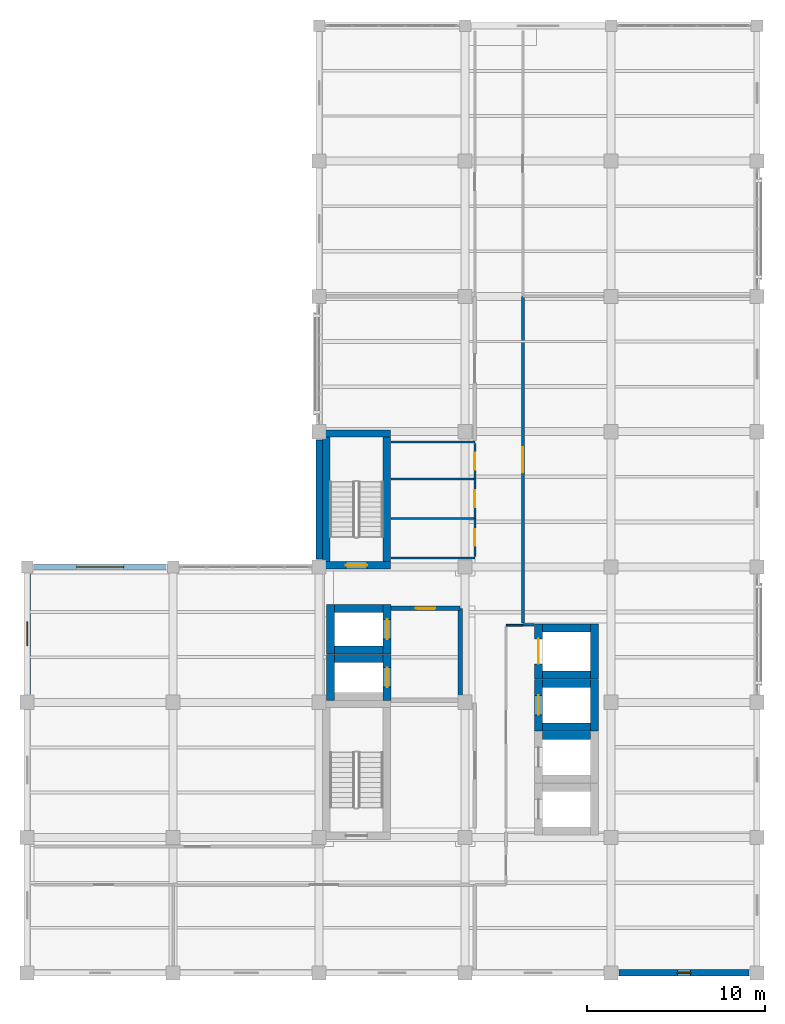
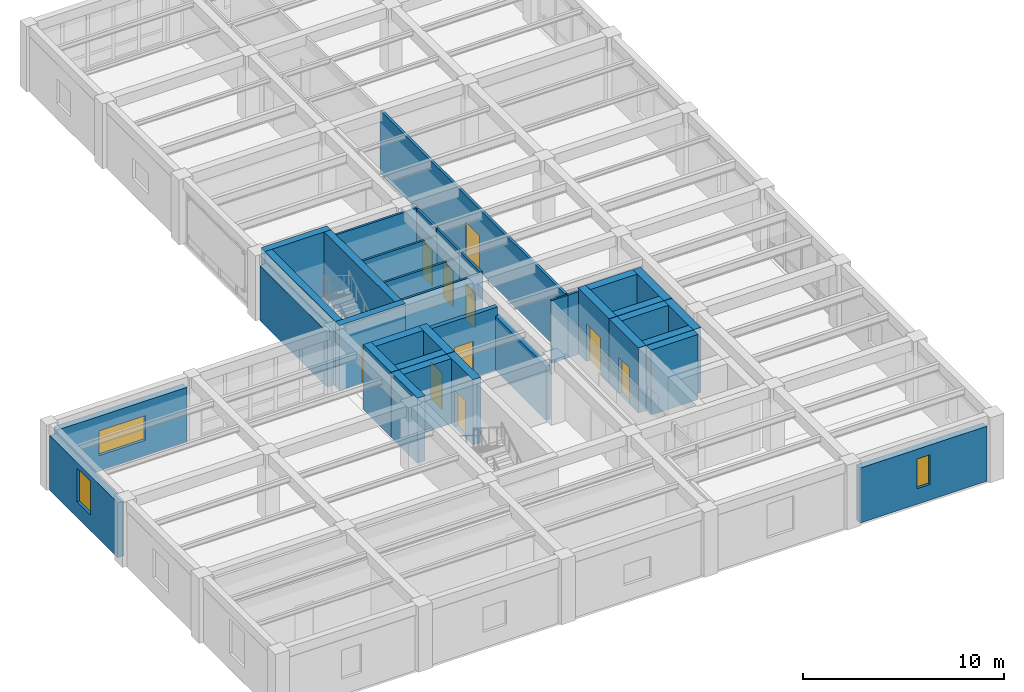
# One storey, part 8 of 13: 36 walls, 10 doors, 3 windows, 13 openings.
"""IFC4 building model written with IfcOpenShell, lengths in metres."""

from ifc_helpers import new_model, si_unit, direction, frame, frame_2d, origin, place, context, subcontext, project, spatial, rectangle, extrude, material, layer, layer_set, type_object, element, fill, save


model = new_model("IFC4")

# Units and contexts
model_context = context("Model", 3, precision=1e-05, world=origin(), true_north=direction((0.0, 1.0)))
body_context = subcontext(model_context, "Body", "Model", "MODEL_VIEW")
ifc_project = project(units=[si_unit("LENGTHUNIT", "METRE"), si_unit("AREAUNIT", "SQUARE_METRE"), si_unit("VOLUMEUNIT", "CUBIC_METRE"), si_unit("PLANEANGLEUNIT", "RADIAN"), si_unit("MASSUNIT", "GRAM", prefix="KILO")], contexts=[model_context])

# Site, building, storey
site_placement = place(None, origin())
site = spatial("IfcSite", under=ifc_project, at=site_placement, CompositionType="ELEMENT")
building_placement = place(site_placement, origin())
building = spatial("IfcBuilding", under=site, at=building_placement, Name="Qandaris Square Conservatory and Botanical Centre", CompositionType="ELEMENT")
storey_placement = place(building_placement, frame((0.0, 0.0, 45.0)))
storey = spatial("IfcBuildingStorey", under=building, at=storey_placement, Name="L10", CompositionType="ELEMENT", Elevation=45.0)

# Wall
ifc_material_1 = material(Name="Gypsum Plasterboard", Category="gypsum")
ifc_layer_1 = layer(ifc_material_1, 0.14990234375)
ifc_layer_set_1 = layer_set([ifc_layer_1], Name="Gypsum Plasterboard")
wall_type_1 = type_object("IfcWallType", Name="Acoustic Laboratory Partition 150mm", PredefinedType="PARTITIONING", material=ifc_layer_set_1)
wall_1_placement = place(storey_placement, frame((150.64990234375, 36.14990234375, 0.0), z_axis=(0.0, 0.0, 1.0), x_axis=(1.0, 0.0, 0.0)))
element("IfcWall", 1, at=wall_1_placement, inside=storey, type_object=wall_type_1, Name="Interior Partition IW-L10-0345", PredefinedType="PARTITIONING", context=body_context, shape_type="SweptSolid", body=[
    extrude(rectangle(XDim=0.6201171875, YDim=0.14990234375, at=frame_2d((0.31005859375, 0.0))), origin(), (0.0, 0.0, 1.0), 3.804931640625),
])

# Wall, opening, door
wall_2_placement = place(storey_placement, frame((150.64990234375, 54.60009765625, 0.0), z_axis=(0.0, 0.0, 1.0), x_axis=(0.0, -1.0, 0.0)))
wall_2 = element("IfcWall", 2, at=wall_2_placement, inside=storey, type_object=wall_type_1, Name="Interior Partition IW-L10-0356", PredefinedType="PARTITIONING", context=body_context, shape_type="SweptSolid", body=[
    extrude(rectangle(XDim=18.35009765625, YDim=0.14990234375, at=frame_2d((9.175048828125, 0.0))), origin(), (0.0, 0.0, 1.0), 3.804931640625),
])
opening_1_placement = place(wall_2_placement, frame((8.47509765625, 0.0, 0.0)))
opening_1 = element("IfcOpeningElement", 3, at=opening_1_placement, cuts=wall_2, Name="Opening D-LAB1", PredefinedType="OPENING", context=body_context, shape_type="SweptSolid", body=[
    extrude(rectangle(XDim=1.39990234375, YDim=2.199951171875, at=frame_2d((0.699951171875, 1.10009765625))), frame((0.0, 0.0869140625, 0.0), z_axis=(0.0, -1.0, 0.0), x_axis=(1.0, 0.0, 0.0)), (0.0, 0.0, 1.0), 0.173828125),
])
ifc_material_2 = material(Name="Engineered Oak Timber", Category="wood")
door_type_1 = type_object("IfcDoorType", Name="Research Laboratory Leaf-and-Half Door 1400x2200", OperationType="DOUBLE_DOOR_SINGLE_SWING", PredefinedType="DOOR", material=ifc_material_2)
door_1_placement = place(opening_1_placement, frame((1.39990234375, 0.0, 0.0), z_axis=(0.0, 0.0, 1.0), x_axis=(-1.0, 0.0, 0.0)))
door_1 = element("IfcDoor", 4, at=door_1_placement, inside=storey, type_object=door_type_1, Name="DR-0319 Medicinal Flora Analytical Laboratory Door", OperationType="DOUBLE_DOOR_SINGLE_SWING", OverallHeight=2.199951171875, OverallWidth=1.39990234375, PredefinedType="DOOR", context=body_context, shape_type="SweptSolid", body=[
    extrude(rectangle(XDim=1.39990234375, YDim=2.199951171875, at=frame_2d((0.699951171875, 1.10009765625))), frame((0.0, 0.02490234375, 0.0), z_axis=(0.0, -1.0, 0.0), x_axis=(1.0, 0.0, 0.0)), (0.0, 0.0, 1.0), 0.050048828125),
])
fill(opening_1, door_1)

# Wall, opening, window
ifc_material_3 = material(Name="Precast concrete C40/50", Category="concrete")
ifc_layer_2 = layer(ifc_material_3, 0.360107421875)
ifc_layer_set_2 = layer_set([ifc_layer_2], Name="Precast concrete C40/50")
wall_type_2 = type_object("IfcWallType", Name="Architectural Precast Cladding Wall 360mm", PredefinedType="SOLIDWALL", material=ifc_layer_set_2)
wall_3_placement = place(storey_placement, frame((156.06005859375, 16.60009765625, 0.0), z_axis=(0.0, 0.0, 1.0), x_axis=(1.0, 0.0, 0.0)))
wall_3 = element("IfcWall", 5, at=wall_3_placement, inside=storey, type_object=wall_type_2, Name="Exterior Wall EW-TWR-L10-1-5", PredefinedType="SOLIDWALL", context=body_context, shape_type="SweptSolid", body=[
    extrude(rectangle(XDim=7.280029296875, YDim=0.360107421875, at=frame_2d((3.64013671875, 0.0))), origin(), (0.0, 0.0, 1.0), 3.3349609375),
])
opening_2_placement = place(wall_3_placement, frame((3.264892578125, 0.0, 0.949951171875)))
opening_2 = element("IfcOpeningElement", 6, at=opening_2_placement, cuts=wall_3, Name="Opening WN-03", PredefinedType="OPENING", context=body_context, shape_type="SweptSolid", body=[
    extrude(rectangle(XDim=0.75, YDim=1.800048828125, at=frame_2d((0.375, 0.89990234375))), frame((0.0, 0.19189453125, 0.0), z_axis=(0.0, -1.0, 0.0), x_axis=(1.0, 0.0, 0.0)), (0.0, 0.0, 1.0), 0.384033203125),
])
ifc_material_4 = material(Name="Tempered Low-E Glass", Category="glass")
window_type_1 = type_object("IfcWindowType", Name="Herbarium UV-Filtered Slot Window 750x1800", PartitioningType="SINGLE_PANEL", PredefinedType="WINDOW", material=ifc_material_4)
window_1_placement = place(opening_2_placement, origin())
window_1 = element("IfcWindow", 7, at=window_1_placement, inside=storey, type_object=window_type_1, Name="Window EW-TWR-L10-1-5", OverallHeight=1.800048828125, OverallWidth=0.75, PartitioningType="SINGLE_PANEL", PredefinedType="WINDOW", context=body_context, shape_type="SweptSolid", body=[
    extrude(rectangle(XDim=0.75, YDim=1.800048828125, at=frame_2d((0.375, 0.89990234375))), frame((0.0, 0.030029296875, 0.0), z_axis=(0.0, -1.0, 0.0), x_axis=(1.0, 0.0, 0.0)), (0.0, 0.0, 1.0), 0.06005859375),
])
fill(opening_2, window_1)

# Wall
wall_4_placement = place(storey_placement, frame((139.199951171875, 46.5400390625, 0.0), z_axis=(0.0, 0.0, 1.0), x_axis=(0.0, -1.0, 0.0)))
element("IfcWall", 8, at=wall_4_placement, inside=storey, type_object=wall_type_2, Name="Exterior Wall EW-TWR-L10-4-4", PredefinedType="SOLIDWALL", context=body_context, shape_type="SweptSolid", body=[
    extrude(rectangle(XDim=6.679931640625, YDim=0.360107421875, at=frame_2d((3.33984375, 0.0))), origin(), (0.0, 0.0, 1.0), 3.3349609375),
])

# Wall, opening, window
wall_5_placement = place(storey_placement, frame((130.614990234375, 39.39990234375, 0.0), z_axis=(0.0, 0.0, 1.0), x_axis=(-1.0, 0.0, 0.0)))
wall_5 = element("IfcWall", 9, at=wall_5_placement, inside=storey, type_object=wall_type_2, Name="Exterior Wall EW-TWR-L10-5-2", PredefinedType="SOLIDWALL", context=body_context, shape_type="SweptSolid", body=[
    extrude(rectangle(XDim=7.429931640625, YDim=0.360107421875, at=frame_2d((3.71484375, 0.0))), origin(), (0.0, 0.0, 1.0), 3.3349609375),
])
opening_3_placement = place(wall_5_placement, frame((2.389892578125, 0.0, 0.949951171875)))
opening_3 = element("IfcOpeningElement", 10, at=opening_3_placement, cuts=wall_5, Name="Opening WN-42", PredefinedType="OPENING", context=body_context, shape_type="SweptSolid", body=[
    extrude(rectangle(XDim=2.64990234375, YDim=1.5, at=frame_2d((1.324951171875, 0.75))), frame((0.0, 0.19189453125, 0.0), z_axis=(0.0, -1.0, 0.0), x_axis=(1.0, 0.0, 0.0)), (0.0, 0.0, 1.0), 0.384033203125),
])
window_type_2 = type_object("IfcWindowType", Name="Solar Control Window 2650x1500", PartitioningType="DOUBLE_PANEL_VERTICAL", PredefinedType="WINDOW", material=ifc_material_4)
window_2_placement = place(opening_3_placement, origin())
window_2 = element("IfcWindow", 11, at=window_2_placement, inside=storey, type_object=window_type_2, Name="Window EW-TWR-L10-5-2", OverallHeight=1.5, OverallWidth=2.64990234375, PartitioningType="DOUBLE_PANEL_VERTICAL", PredefinedType="WINDOW", context=body_context, shape_type="SweptSolid", body=[
    extrude(rectangle(XDim=2.64990234375, YDim=1.5, at=frame_2d((1.324951171875, 0.75))), frame((0.0, 0.030029296875, 0.0), z_axis=(0.0, -1.0, 0.0), x_axis=(1.0, 0.0, 0.0)), (0.0, 0.0, 1.0), 0.06005859375),
])
fill(opening_3, window_2)

wall_6_placement = place(storey_placement, frame((122.800048828125, 39.014892578125, 0.0), z_axis=(0.0, 0.0, 1.0), x_axis=(0.0, -1.0, 0.0)))
wall_6 = element("IfcWall", 12, at=wall_6_placement, inside=storey, type_object=wall_type_2, Name="Exterior Wall EW-TWR-L10-6-1", PredefinedType="SOLIDWALL", context=body_context, shape_type="SweptSolid", body=[
    extrude(rectangle(XDim=6.7548828125, YDim=0.360107421875, at=frame_2d((3.37744140625, 0.0))), origin(), (0.0, 0.0, 1.0), 3.3349609375),
])
opening_4_placement = place(wall_6_placement, frame((2.702392578125, 0.0, 0.949951171875)))
opening_4 = element("IfcOpeningElement", 13, at=opening_4_placement, cuts=wall_6, Name="Opening WN-24", PredefinedType="OPENING", context=body_context, shape_type="SweptSolid", body=[
    extrude(rectangle(XDim=1.35009765625, YDim=2.050048828125, at=frame_2d((0.675048828125, 1.02490234375))), frame((0.0, 0.19189453125, 0.0), z_axis=(0.0, -1.0, 0.0), x_axis=(1.0, 0.0, 0.0)), (0.0, 0.0, 1.0), 0.384033203125),
])
window_type_3 = type_object("IfcWindowType", Name="Solar Control Window 1350x2050", PartitioningType="SINGLE_PANEL", PredefinedType="WINDOW", material=ifc_material_4)
window_3_placement = place(opening_4_placement, origin())
window_3 = element("IfcWindow", 14, at=window_3_placement, inside=storey, type_object=window_type_3, Name="Window EW-TWR-L10-6-1", OverallHeight=2.050048828125, OverallWidth=1.35009765625, PartitioningType="SINGLE_PANEL", PredefinedType="WINDOW", context=body_context, shape_type="SweptSolid", body=[
    extrude(rectangle(XDim=1.35009765625, YDim=2.050048828125, at=frame_2d((0.675048828125, 1.02490234375))), frame((0.0, 0.030029296875, 0.0), z_axis=(0.0, -1.0, 0.0), x_axis=(1.0, 0.0, 0.0)), (0.0, 0.0, 1.0), 0.06005859375),
])
fill(opening_4, window_3)

# Wall, opening, door
ifc_material_5 = material(Name="Concrete C40/50", Category="concrete")
ifc_layer_3 = layer(ifc_material_5, 0.25)
ifc_layer_set_3 = layer_set([ifc_layer_3], Name="Concrete C40/50")
wall_type_3 = type_object("IfcWallType", Name="Firefighting Lobby Compartment Wall 250mm", PredefinedType="SOLIDWALL", material=ifc_layer_set_3)
wall_7_placement = place(storey_placement, frame((143.25, 37.074951171875, 0.0), z_axis=(0.0, 0.0, 1.0), x_axis=(1.0, 0.0, 0.0)))
wall_7 = element("IfcWall", 15, at=wall_7_placement, inside=storey, type_object=wall_type_3, Name="Firefighting Lobby Wall North (L10)", PredefinedType="SOLIDWALL", context=body_context, shape_type="SweptSolid", body=[
    extrude(rectangle(XDim=3.875, YDim=0.25, at=frame_2d((1.9375, 0.0))), origin(), (0.0, 0.0, 1.0), 3.804931640625),
])
opening_5_placement = place(wall_7_placement, frame((1.387451171875, 0.0, 0.0)))
opening_5 = element("IfcOpeningElement", 16, at=opening_5_placement, cuts=wall_7, Name="Opening D-FFL", PredefinedType="OPENING", context=body_context, shape_type="SweptSolid", body=[
    extrude(rectangle(XDim=1.10009765625, YDim=2.199951171875, at=frame_2d((0.550048828125, 1.10009765625))), frame((0.0, 0.136962890625, 0.0), z_axis=(0.0, -1.0, 0.0), x_axis=(1.0, 0.0, 0.0)), (0.0, 0.0, 1.0), 0.27392578125),
])
ifc_material_6 = material(Name="Steel S355", Category="steel")
door_type_2 = type_object("IfcDoorType", Name="Firefighting Lobby Smoke-Seal Door 1100x2200", OperationType="NOTDEFINED", PredefinedType="DOOR", material=ifc_material_6)
door_2_placement = place(opening_5_placement, origin())
door_2 = element("IfcDoor", 17, at=door_2_placement, inside=storey, type_object=door_type_2, Name="DR-0315 Firefighting Lobby Door (L10)", OperationType="SINGLE_SWING_LEFT", OverallHeight=2.199951171875, OverallWidth=1.10009765625, PredefinedType="DOOR", context=body_context, shape_type="SweptSolid", body=[
    extrude(rectangle(XDim=1.10009765625, YDim=2.199951171875, at=frame_2d((0.550048828125, 1.10009765625))), frame((0.0, 0.02490234375, 0.0), z_axis=(0.0, -1.0, 0.0), x_axis=(1.0, 0.0, 0.0)), (0.0, 0.0, 1.0), 0.050048828125),
])
fill(opening_5, door_2)

# Walls
wall_8_placement = place(storey_placement, frame((147.125, 31.925048828125, 0.0), z_axis=(0.0, 0.0, 1.0), x_axis=(0.0, 1.0, 0.0)))
element("IfcWall", 18, at=wall_8_placement, inside=storey, type_object=wall_type_3, Name="Firefighting Lobby Wall East (L10)", PredefinedType="SOLIDWALL", context=body_context, shape_type="SweptSolid", body=[
    extrude(rectangle(XDim=5.14990234375, YDim=0.25, at=frame_2d((2.574951171875, 0.0))), origin(), (0.0, 0.0, 1.0), 3.284912109375),
])
ifc_layer_4 = layer(ifc_material_4, 0.10009765625)
ifc_layer_set_4 = layer_set([ifc_layer_4], Name="Tempered Low-E Glass")
wall_type_4 = type_object("IfcWallType", Name="Framed Acoustic Glazed Gallery Screen 100mm", PredefinedType="PARTITIONING", material=ifc_layer_set_4)
wall_9_placement = place(storey_placement, frame((149.699951171875, 36.125, 0.0), z_axis=(0.0, 0.0, 1.0), x_axis=(1.0, 0.0, 0.0)))
element("IfcWall", 19, at=wall_9_placement, inside=storey, type_object=wall_type_4, Name="Interior Partition IW-L10-0344", PredefinedType="PARTITIONING", context=body_context, shape_type="SweptSolid", body=[
    extrude(rectangle(XDim=0.949951171875, YDim=0.10009765625, at=frame_2d((0.47509765625, 0.0))), origin(), (0.0, 0.0, 1.0), 3.804931640625),
])
ifc_material_7 = material(Name="Concrete C50/60", Category="concrete")
ifc_layer_5 = layer(ifc_material_7, 0.449951171875)
ifc_layer_set_5 = layer_set([ifc_layer_5], Name="Concrete C50/60")
wall_type_5 = type_object("IfcWallType", Name="RC Coupled Core Shear Wall 450mm", PredefinedType="SHEAR", material=ifc_layer_set_5)
wall_10_placement = place(storey_placement, frame((140.06005859375, 34.264892578125, 0.0), z_axis=(0.0, 0.0, 1.0), x_axis=(1.0, 0.0, 0.0)))
element("IfcWall", 20, at=wall_10_placement, inside=storey, type_object=wall_type_5, Name="Lift FFL1 Shaft Wall North (L10)", PredefinedType="SHEAR", context=body_context, shape_type="SweptSolid", body=[
    extrude(rectangle(XDim=2.739990234375, YDim=0.449951171875, at=frame_2d((1.3701171875, 0.0))), origin(), (0.0, 0.0, 1.0), 3.949951171875),
])
wall_11_placement = place(storey_placement, frame((139.8349609375, 31.909912109375, 0.0), z_axis=(0.0, 0.0, 1.0), x_axis=(0.0, 1.0, 0.0)))
element("IfcWall", 21, at=wall_11_placement, inside=storey, type_object=wall_type_5, Name="Lift FFL1 Shaft Wall West (L10)", PredefinedType="SHEAR", context=body_context, shape_type="SweptSolid", body=[
    extrude(rectangle(XDim=2.580078125, YDim=0.449951171875, at=frame_2d((1.2900390625, 0.0))), origin(), (0.0, 0.0, 1.0), 3.949951171875),
])

# Wall, opening, door
wall_12_placement = place(storey_placement, frame((143.02490234375, 31.909912109375, 0.0), z_axis=(0.0, 0.0, 1.0), x_axis=(0.0, 1.0, 0.0)))
wall_12 = element("IfcWall", 22, at=wall_12_placement, inside=storey, type_object=wall_type_5, Name="Lift FFL1 Shaft Wall East (L10)", PredefinedType="SHEAR", context=body_context, shape_type="SweptSolid", body=[
    extrude(rectangle(XDim=2.580078125, YDim=0.449951171875, at=frame_2d((1.2900390625, 0.0))), origin(), (0.0, 0.0, 1.0), 3.949951171875),
])
opening_6_placement = place(wall_12_placement, frame((0.739990234375, 0.0, 0.0)))
opening_6 = element("IfcOpeningElement", 23, at=opening_6_placement, cuts=wall_12, Name="Opening LD-FFL", PredefinedType="OPENING", context=body_context, shape_type="SweptSolid", body=[
    extrude(rectangle(XDim=1.10009765625, YDim=2.199951171875, at=frame_2d((0.550048828125, 1.10009765625))), frame((0.0, 0.23681640625, 0.0), z_axis=(0.0, -1.0, 0.0), x_axis=(1.0, 0.0, 0.0)), (0.0, 0.0, 1.0), 0.473876953125),
])
door_type_3 = type_object("IfcDoorType", Name="Firefighting Lift Sliding Landing Door 1100x2200", OperationType="DOUBLE_DOOR_SLIDING", PredefinedType="DOOR", material=ifc_material_6)
door_3_placement = place(opening_6_placement, origin())
door_3 = element("IfcDoor", 24, at=door_3_placement, inside=storey, type_object=door_type_3, Name="DR-0331 Lift FFL1 Landing Door (L10)", OperationType="DOUBLE_DOOR_SLIDING", OverallHeight=2.199951171875, OverallWidth=1.10009765625, PredefinedType="DOOR", context=body_context, shape_type="SweptSolid", body=[
    extrude(rectangle(XDim=1.10009765625, YDim=2.199951171875, at=frame_2d((0.550048828125, 1.10009765625))), frame((0.0, 0.02490234375, 0.0), z_axis=(0.0, -1.0, 0.0), x_axis=(1.0, 0.0, 0.0)), (0.0, 0.0, 1.0), 0.050048828125),
])
fill(opening_6, door_3)

# Walls
for number, where, z_axis, x_axis, name in (
    (25, (140.06005859375, 34.735107421875, 0.0), (0.0, 0.0, 1.0), (1.0, 0.0, 0.0), "Lift FFL2 Shaft Wall South (L10)"),
    (26, (140.06005859375, 37.06494140625, 0.0), (0.0, 0.0, 1.0), (1.0, 0.0, 0.0), "Lift FFL2 Shaft Wall North (L10)"),
):
    element("IfcWall", number, at=place(storey_placement, frame(where, z_axis=z_axis, x_axis=x_axis)), inside=storey, type_object=wall_type_5, Name=name, PredefinedType="SHEAR", context=body_context, shape_type="SweptSolid", body=[
        extrude(rectangle(XDim=2.739990234375, YDim=0.449951171875, at=frame_2d((1.3701171875, 0.0))), origin(), (0.0, 0.0, 1.0), 3.949951171875),
    ])
wall_13_placement = place(storey_placement, frame((139.8349609375, 34.510009765625, 0.0), z_axis=(0.0, 0.0, 1.0), x_axis=(0.0, 1.0, 0.0)))
element("IfcWall", 27, at=wall_13_placement, inside=storey, type_object=wall_type_5, Name="Lift FFL2 Shaft Wall West (L10)", PredefinedType="SHEAR", context=body_context, shape_type="SweptSolid", body=[
    extrude(rectangle(XDim=2.780029296875, YDim=0.449951171875, at=frame_2d((1.39013671875, 0.0))), origin(), (0.0, 0.0, 1.0), 3.949951171875),
])

# Wall, opening, door
wall_14_placement = place(storey_placement, frame((143.02490234375, 34.510009765625, 0.0), z_axis=(0.0, 0.0, 1.0), x_axis=(0.0, 1.0, 0.0)))
wall_14 = element("IfcWall", 28, at=wall_14_placement, inside=storey, type_object=wall_type_5, Name="Lift FFL2 Shaft Wall East (L10)", PredefinedType="SHEAR", context=body_context, shape_type="SweptSolid", body=[
    extrude(rectangle(XDim=2.780029296875, YDim=0.449951171875, at=frame_2d((1.39013671875, 0.0))), origin(), (0.0, 0.0, 1.0), 3.949951171875),
])
opening_7_placement = place(wall_14_placement, frame((0.840087890625, 0.0, 0.0)))
opening_7 = element("IfcOpeningElement", 29, at=opening_7_placement, cuts=wall_14, Name="Opening LD-FFL", PredefinedType="OPENING", context=body_context, shape_type="SweptSolid", body=[
    extrude(rectangle(XDim=1.10009765625, YDim=2.199951171875, at=frame_2d((0.550048828125, 1.10009765625))), frame((0.0, 0.23681640625, 0.0), z_axis=(0.0, -1.0, 0.0), x_axis=(1.0, 0.0, 0.0)), (0.0, 0.0, 1.0), 0.473876953125),
])
door_4_placement = place(opening_7_placement, origin())
door_4 = element("IfcDoor", 30, at=door_4_placement, inside=storey, type_object=door_type_3, Name="DR-0332 Lift FFL2 Landing Door (L10)", OperationType="DOUBLE_DOOR_SLIDING", OverallHeight=2.199951171875, OverallWidth=1.10009765625, PredefinedType="DOOR", context=body_context, shape_type="SweptSolid", body=[
    extrude(rectangle(XDim=1.10009765625, YDim=2.199951171875, at=frame_2d((0.550048828125, 1.10009765625))), frame((0.0, 0.02490234375, 0.0), z_axis=(0.0, -1.0, 0.0), x_axis=(1.0, 0.0, 0.0)), (0.0, 0.0, 1.0), 0.050048828125),
])
fill(opening_7, door_4)

# Walls
for number, where, z_axis, x_axis, name in (
    (31, (151.75, 29.945068359375, 0.0), (0.0, 0.0, 1.0), (1.0, 0.0, 0.0), "Lift PL2 Shaft Wall North (L10)"),
    (32, (151.75, 30.4150390625, 0.0), (0.0, 0.0, 1.0), (1.0, 0.0, 0.0), "Lift PL3 Shaft Wall South (L10)"),
    (33, (151.75, 32.864990234375, 0.0), (0.0, 0.0, 1.0), (1.0, 0.0, 0.0), "Lift PL3 Shaft Wall North (L10)"),
):
    element("IfcWall", number, at=place(storey_placement, frame(where, z_axis=z_axis, x_axis=x_axis)), inside=storey, type_object=wall_type_5, Name=name, PredefinedType="SHEAR", context=body_context, shape_type="SweptSolid", body=[
        extrude(rectangle(XDim=2.699951171875, YDim=0.449951171875, at=frame_2d((1.35009765625, 0.0))), origin(), (0.0, 0.0, 1.0), 3.949951171875),
    ])

# Wall, opening, door
wall_15_placement = place(storey_placement, frame((151.52490234375, 30.18994140625, 0.0), z_axis=(0.0, 0.0, 1.0), x_axis=(0.0, 1.0, 0.0)))
wall_15 = element("IfcWall", 34, at=wall_15_placement, inside=storey, type_object=wall_type_5, Name="Lift PL3 Shaft Wall West (L10)", PredefinedType="SHEAR", context=body_context, shape_type="SweptSolid", body=[
    extrude(rectangle(XDim=2.900146484375, YDim=0.449951171875, at=frame_2d((1.4501953125, 0.0))), origin(), (0.0, 0.0, 1.0), 3.949951171875),
])
opening_8_placement = place(wall_15_placement, frame((0.89990234375, 0.0, 0.0)))
opening_8 = element("IfcOpeningElement", 35, at=opening_8_placement, cuts=wall_15, Name="Opening LD-PAX", PredefinedType="OPENING", context=body_context, shape_type="SweptSolid", body=[
    extrude(rectangle(XDim=1.10009765625, YDim=2.199951171875, at=frame_2d((0.550048828125, 1.10009765625))), frame((0.0, 0.23681640625, 0.0), z_axis=(0.0, -1.0, 0.0), x_axis=(1.0, 0.0, 0.0)), (0.0, 0.0, 1.0), 0.473876953125),
])
ifc_material_8 = material(Name="Anodised Aluminium", Category="aluminium")
door_type_4 = type_object("IfcDoorType", Name="Passenger Lift Sliding Landing Door 1100x2200", OperationType="DOUBLE_DOOR_SLIDING", PredefinedType="DOOR", material=ifc_material_8)
door_5_placement = place(opening_8_placement, origin())
door_5 = element("IfcDoor", 36, at=door_5_placement, inside=storey, type_object=door_type_4, Name="DR-0336 Lift PL3 Landing Door (L10)", OperationType="DOUBLE_DOOR_SLIDING", OverallHeight=2.199951171875, OverallWidth=1.10009765625, PredefinedType="DOOR", context=body_context, shape_type="SweptSolid", body=[
    extrude(rectangle(XDim=1.10009765625, YDim=2.199951171875, at=frame_2d((0.550048828125, 1.10009765625))), frame((0.0, 0.02490234375, 0.0), z_axis=(0.0, -1.0, 0.0), x_axis=(1.0, 0.0, 0.0)), (0.0, 0.0, 1.0), 0.050048828125),
])
fill(opening_8, door_5)

# Walls
wall_16_placement = place(storey_placement, frame((154.675048828125, 30.18994140625, 0.0), z_axis=(0.0, 0.0, 1.0), x_axis=(0.0, 1.0, 0.0)))
element("IfcWall", 37, at=wall_16_placement, inside=storey, type_object=wall_type_5, Name="Lift PL3 Shaft Wall East (L10)", PredefinedType="SHEAR", context=body_context, shape_type="SweptSolid", body=[
    extrude(rectangle(XDim=2.900146484375, YDim=0.449951171875, at=frame_2d((1.4501953125, 0.0))), origin(), (0.0, 0.0, 1.0), 3.949951171875),
])
for number, where, z_axis, x_axis, name in (
    (38, (151.75, 33.3349609375, 0.0), (0.0, 0.0, 1.0), (1.0, 0.0, 0.0), "Lift GL1 Shaft Wall South (L10)"),
    (39, (151.75, 35.985107421875, 0.0), (0.0, 0.0, 1.0), (1.0, 0.0, 0.0), "Lift GL1 Shaft Wall North (L10)"),
):
    element("IfcWall", number, at=place(storey_placement, frame(where, z_axis=z_axis, x_axis=x_axis)), inside=storey, type_object=wall_type_5, Name=name, PredefinedType="SHEAR", context=body_context, shape_type="SweptSolid", body=[
        extrude(rectangle(XDim=2.699951171875, YDim=0.449951171875, at=frame_2d((1.35009765625, 0.0))), origin(), (0.0, 0.0, 1.0), 3.949951171875),
    ])

# Wall, opening, door
wall_17_placement = place(storey_placement, frame((151.52490234375, 33.110107421875, 0.0), z_axis=(0.0, 0.0, 1.0), x_axis=(0.0, 1.0, 0.0)))
wall_17 = element("IfcWall", 40, at=wall_17_placement, inside=storey, type_object=wall_type_5, Name="Lift GL1 Shaft Wall West (L10)", PredefinedType="SHEAR", context=body_context, shape_type="SweptSolid", body=[
    extrude(rectangle(XDim=3.099853515625, YDim=0.449951171875, at=frame_2d((1.5498046875, 0.0))), origin(), (0.0, 0.0, 1.0), 3.949951171875),
])
opening_9_placement = place(wall_17_placement, frame((0.85009765625, 0.0, 0.0)))
opening_9 = element("IfcOpeningElement", 41, at=opening_9_placement, cuts=wall_17, Name="Opening LD-GDS", PredefinedType="OPENING", context=body_context, shape_type="SweptSolid", body=[
    extrude(rectangle(XDim=1.39990234375, YDim=2.300048828125, at=frame_2d((0.699951171875, 1.14990234375))), frame((0.0, 0.23681640625, 0.0), z_axis=(0.0, -1.0, 0.0), x_axis=(1.0, 0.0, 0.0)), (0.0, 0.0, 1.0), 0.473876953125),
])
door_type_5 = type_object("IfcDoorType", Name="Goods & Herbarium Lift Sliding Landing Door 1400x2300", OperationType="DOUBLE_DOOR_SLIDING", PredefinedType="DOOR", material=ifc_material_6)
door_6_placement = place(opening_9_placement, origin())
door_6 = element("IfcDoor", 42, at=door_6_placement, inside=storey, type_object=door_type_5, Name="DR-0333 Lift GL1 Landing Door (L10)", OperationType="DOUBLE_DOOR_SLIDING", OverallHeight=2.300048828125, OverallWidth=1.39990234375, PredefinedType="DOOR", context=body_context, shape_type="SweptSolid", body=[
    extrude(rectangle(XDim=1.39990234375, YDim=2.300048828125, at=frame_2d((0.699951171875, 1.14990234375))), frame((0.0, 0.02490234375, 0.0), z_axis=(0.0, -1.0, 0.0), x_axis=(1.0, 0.0, 0.0)), (0.0, 0.0, 1.0), 0.050048828125),
])
fill(opening_9, door_6)

# Wall
wall_18_placement = place(storey_placement, frame((154.675048828125, 33.110107421875, 0.0), z_axis=(0.0, 0.0, 1.0), x_axis=(0.0, 1.0, 0.0)))
element("IfcWall", 43, at=wall_18_placement, inside=storey, type_object=wall_type_5, Name="Lift GL1 Shaft Wall East (L10)", PredefinedType="SHEAR", context=body_context, shape_type="SweptSolid", body=[
    extrude(rectangle(XDim=3.099853515625, YDim=0.449951171875, at=frame_2d((1.5498046875, 0.0))), origin(), (0.0, 0.0, 1.0), 3.949951171875),
])

# Wall, opening, door
ifc_layer_6 = layer(ifc_material_7, 0.39990234375)
ifc_layer_set_6 = layer_set([ifc_layer_6], Name="Concrete C50/60")
wall_type_6 = type_object("IfcWallType", Name="RC Stair Core Shear Wall 400mm", PredefinedType="SHEAR", material=ifc_layer_set_6)
wall_19_placement = place(storey_placement, frame((139.39990234375, 39.5, 0.0), z_axis=(0.0, 0.0, 1.0), x_axis=(1.0, 0.0, 0.0)))
wall_19 = element("IfcWall", 44, at=wall_19_placement, inside=storey, type_object=wall_type_6, Name="ST-2 Core Shear Wall South (L10)", PredefinedType="SHEAR", context=body_context, shape_type="SweptSolid", body=[
    extrude(rectangle(XDim=3.800048828125, YDim=0.39990234375, at=frame_2d((1.89990234375, 0.0))), origin(), (0.0, 0.0, 1.0), 3.949951171875),
])
opening_10_placement = place(wall_19_placement, frame((1.300048828125, 0.0, 0.0)))
opening_10 = element("IfcOpeningElement", 45, at=opening_10_placement, cuts=wall_19, Name="Opening D-ST1", PredefinedType="OPENING", context=body_context, shape_type="SweptSolid", body=[
    extrude(rectangle(XDim=1.199951171875, YDim=2.199951171875, at=frame_2d((0.60009765625, 1.10009765625))), frame((0.0, 0.2119140625, 0.0), z_axis=(0.0, -1.0, 0.0), x_axis=(1.0, 0.0, 0.0)), (0.0, 0.0, 1.0), 0.423828125),
])
door_type_6 = type_object("IfcDoorType", Name="Exit Stair Core Fire Door 1200x2200", OperationType="NOTDEFINED", PredefinedType="DOOR", material=ifc_material_6)
door_7_placement = place(opening_10_placement, origin())
door_7 = element("IfcDoor", 46, at=door_7_placement, inside=storey, type_object=door_type_6, Name="DR-0327 ST-2 Stair Core Door (L10)", OperationType="SINGLE_SWING_RIGHT", OverallHeight=2.199951171875, OverallWidth=1.199951171875, PredefinedType="DOOR", context=body_context, shape_type="SweptSolid", body=[
    extrude(rectangle(XDim=1.199951171875, YDim=2.199951171875, at=frame_2d((0.60009765625, 1.10009765625))), frame((0.0, 0.02490234375, 0.0), z_axis=(0.0, -1.0, 0.0), x_axis=(1.0, 0.0, 0.0)), (0.0, 0.0, 1.0), 0.050048828125),
])
fill(opening_10, door_7)

# Walls
wall_20_placement = place(storey_placement, frame((139.39990234375, 46.89990234375, 0.0), z_axis=(0.0, 0.0, 1.0), x_axis=(1.0, 0.0, 0.0)))
element("IfcWall", 47, at=wall_20_placement, inside=storey, type_object=wall_type_6, Name="ST-2 Core Shear Wall North (L10)", PredefinedType="SHEAR", context=body_context, shape_type="SweptSolid", body=[
    extrude(rectangle(XDim=3.800048828125, YDim=0.39990234375, at=frame_2d((1.89990234375, 0.0))), origin(), (0.0, 0.0, 1.0), 3.949951171875),
])
for number, where, z_axis, x_axis, name in (
    (48, (139.60009765625, 39.699951171875, 0.0), (0.0, 0.0, 1.0), (0.0, 1.0, 0.0), "ST-2 Core Shear Wall West (L10)"),
    (49, (143.0, 39.699951171875, 0.0), (0.0, 0.0, 1.0), (0.0, 1.0, 0.0), "ST-2 Core Shear Wall East (L10)"),
):
    element("IfcWall", number, at=place(storey_placement, frame(where, z_axis=z_axis, x_axis=x_axis)), inside=storey, type_object=wall_type_6, Name=name, PredefinedType="SHEAR", context=body_context, shape_type="SweptSolid", body=[
        extrude(rectangle(XDim=7.0, YDim=0.39990234375, at=frame_2d((3.5, 0.0))), origin(), (0.0, 0.0, 1.0), 3.949951171875),
    ])
ifc_layer_7 = layer(ifc_material_1, 0.1201171875)
ifc_layer_set_7 = layer_set([ifc_layer_7], Name="Gypsum Plasterboard")
wall_type_7 = type_object("IfcWallType", Name="Standard Research Partition 120mm", PredefinedType="PARTITIONING", material=ifc_layer_set_7)
for number, where, z_axis, x_axis, name in (
    (50, (143.22998046875, 39.89990234375, 0.0), (0.0, 0.0, 1.0), (1.0, 0.0, 0.0), "Sanitary Toilet Partition Wall WCW-L10-SOUTH1"),
    (51, (143.22998046875, 46.419921875, 0.0), (0.0, 0.0, 1.0), (1.0, 0.0, 0.0), "Sanitary Toilet Partition Wall WCW-L10-NORTH1"),
):
    element("IfcWall", number, at=place(storey_placement, frame(where, z_axis=z_axis, x_axis=x_axis)), inside=storey, type_object=wall_type_7, Name=name, PredefinedType="PARTITIONING", context=body_context, shape_type="SweptSolid", body=[
        extrude(rectangle(XDim=4.719970703125, YDim=0.1201171875, at=frame_2d((2.35986328125, 0.0))), origin(), (0.0, 0.0, 1.0), 3.804931640625),
    ])
wall_21_placement = place(storey_placement, frame((143.22998046875, 42.1201171875, 0.0), z_axis=(0.0, 0.0, 1.0), x_axis=(1.0, 0.0, 0.0)))
element("IfcWall", 52, at=wall_21_placement, inside=storey, type_object=wall_type_7, Name="Interior Partition IW-L10-0346", PredefinedType="PARTITIONING", context=body_context, shape_type="SweptSolid", body=[
    extrude(rectangle(XDim=4.719970703125, YDim=0.1201171875, at=frame_2d((2.35986328125, 0.0))), origin(), (0.0, 0.0, 1.0), 3.425048828125),
])

# Wall, opening, door
wall_22_placement = place(storey_placement, frame((147.949951171875, 42.1201171875, 0.0), z_axis=(0.0, 0.0, 1.0), x_axis=(0.0, -1.0, 0.0)))
wall_22 = element("IfcWall", 53, at=wall_22_placement, inside=storey, type_object=wall_type_7, Name="Interior Partition IW-L10-0347", PredefinedType="PARTITIONING", context=body_context, shape_type="SweptSolid", body=[
    extrude(rectangle(XDim=2.130126953125, YDim=0.1201171875, at=frame_2d((1.06494140625, 0.0))), origin(), (0.0, 0.0, 1.0), 3.804931640625),
])
opening_11_placement = place(wall_22_placement, frame((0.590087890625, 0.0, 0.0)))
opening_11 = element("IfcOpeningElement", 54, at=opening_11_placement, cuts=wall_22, Name="Opening D-WC1", PredefinedType="OPENING", context=body_context, shape_type="SweptSolid", body=[
    extrude(rectangle(XDim=0.949951171875, YDim=2.14990234375, at=frame_2d((0.47509765625, 1.074951171875))), frame((0.0, 0.072021484375, 0.0), z_axis=(0.0, -1.0, 0.0), x_axis=(1.0, 0.0, 0.0)), (0.0, 0.0, 1.0), 0.14404296875),
])
door_type_7 = type_object("IfcDoorType", Name="Accessible Sanitary Room Door 950x2150", OperationType="NOTDEFINED", PredefinedType="DOOR", material=ifc_material_2)
door_8_placement = place(opening_11_placement, origin())
door_8 = element("IfcDoor", 55, at=door_8_placement, inside=storey, type_object=door_type_7, Name="DR-0328 Accessible Toilet L10 Door", OperationType="SINGLE_SWING_RIGHT", OverallHeight=2.14990234375, OverallWidth=0.949951171875, PredefinedType="DOOR", context=body_context, shape_type="SweptSolid", body=[
    extrude(rectangle(XDim=0.949951171875, YDim=2.14990234375, at=frame_2d((0.47509765625, 1.074951171875))), frame((0.0, 0.02490234375, 0.0), z_axis=(0.0, -1.0, 0.0), x_axis=(1.0, 0.0, 0.0)), (0.0, 0.0, 1.0), 0.050048828125),
])
fill(opening_11, door_8)

# Wall
wall_23_placement = place(storey_placement, frame((143.22998046875, 44.340087890625, 0.0), z_axis=(0.0, 0.0, 1.0), x_axis=(1.0, 0.0, 0.0)))
element("IfcWall", 56, at=wall_23_placement, inside=storey, type_object=wall_type_7, Name="Interior Partition IW-L10-0348", PredefinedType="PARTITIONING", context=body_context, shape_type="SweptSolid", body=[
    extrude(rectangle(XDim=4.719970703125, YDim=0.1201171875, at=frame_2d((2.35986328125, 0.0))), origin(), (0.0, 0.0, 1.0), 3.375),
])

# Wall, opening, door
wall_24_placement = place(storey_placement, frame((147.949951171875, 44.340087890625, 0.0), z_axis=(0.0, 0.0, 1.0), x_axis=(0.0, -1.0, 0.0)))
wall_24 = element("IfcWall", 57, at=wall_24_placement, inside=storey, type_object=wall_type_7, Name="Interior Partition IW-L10-0349", PredefinedType="PARTITIONING", context=body_context, shape_type="SweptSolid", body=[
    extrude(rectangle(XDim=2.219970703125, YDim=0.1201171875, at=frame_2d((1.10986328125, 0.0))), origin(), (0.0, 0.0, 1.0), 3.804931640625),
])
opening_12_placement = place(wall_24_placement, frame((0.635009765625, 0.0, 0.0)))
opening_12 = element("IfcOpeningElement", 58, at=opening_12_placement, cuts=wall_24, Name="Opening D-WC1", PredefinedType="OPENING", context=body_context, shape_type="SweptSolid", body=[
    extrude(rectangle(XDim=0.949951171875, YDim=2.14990234375, at=frame_2d((0.47509765625, 1.074951171875))), frame((0.0, 0.072021484375, 0.0), z_axis=(0.0, -1.0, 0.0), x_axis=(1.0, 0.0, 0.0)), (0.0, 0.0, 1.0), 0.14404296875),
])
door_9_placement = place(opening_12_placement, origin())
door_9 = element("IfcDoor", 59, at=door_9_placement, inside=storey, type_object=door_type_7, Name="DR-0329 Staff Male Toilet L10 Door", OperationType="SINGLE_SWING_LEFT", OverallHeight=2.14990234375, OverallWidth=0.949951171875, PredefinedType="DOOR", context=body_context, shape_type="SweptSolid", body=[
    extrude(rectangle(XDim=0.949951171875, YDim=2.14990234375, at=frame_2d((0.47509765625, 1.074951171875))), frame((0.0, 0.02490234375, 0.0), z_axis=(0.0, -1.0, 0.0), x_axis=(1.0, 0.0, 0.0)), (0.0, 0.0, 1.0), 0.050048828125),
])
fill(opening_12, door_9)

wall_25_placement = place(storey_placement, frame((147.949951171875, 46.330078125, 0.0), z_axis=(0.0, 0.0, 1.0), x_axis=(0.0, -1.0, 0.0)))
wall_25 = element("IfcWall", 60, at=wall_25_placement, inside=storey, type_object=wall_type_7, Name="Interior Partition IW-L10-0350", PredefinedType="PARTITIONING", context=body_context, shape_type="SweptSolid", body=[
    extrude(rectangle(XDim=1.989990234375, YDim=0.1201171875, at=frame_2d((0.9951171875, 0.0))), origin(), (0.0, 0.0, 1.0), 3.804931640625),
])
opening_13_placement = place(wall_25_placement, frame((0.52001953125, 0.0, 0.0)))
opening_13 = element("IfcOpeningElement", 61, at=opening_13_placement, cuts=wall_25, Name="Opening D-WC1", PredefinedType="OPENING", context=body_context, shape_type="SweptSolid", body=[
    extrude(rectangle(XDim=0.949951171875, YDim=2.14990234375, at=frame_2d((0.47509765625, 1.074951171875))), frame((0.0, 0.072021484375, 0.0), z_axis=(0.0, -1.0, 0.0), x_axis=(1.0, 0.0, 0.0)), (0.0, 0.0, 1.0), 0.14404296875),
])
door_10_placement = place(opening_13_placement, frame((0.949951171875, 0.0, 0.0), z_axis=(0.0, 0.0, 1.0), x_axis=(-1.0, 0.0, 0.0)))
door_10 = element("IfcDoor", 62, at=door_10_placement, inside=storey, type_object=door_type_7, Name="DR-0330 Staff Female Toilet L10 Door", OperationType="SINGLE_SWING_RIGHT", OverallHeight=2.14990234375, OverallWidth=0.949951171875, PredefinedType="DOOR", context=body_context, shape_type="SweptSolid", body=[
    extrude(rectangle(XDim=0.949951171875, YDim=2.14990234375, at=frame_2d((0.47509765625, 1.074951171875))), frame((0.0, 0.02490234375, 0.0), z_axis=(0.0, -1.0, 0.0), x_axis=(1.0, 0.0, 0.0)), (0.0, 0.0, 1.0), 0.050048828125),
])
fill(opening_13, door_10)

save(model, "model.ifc")
